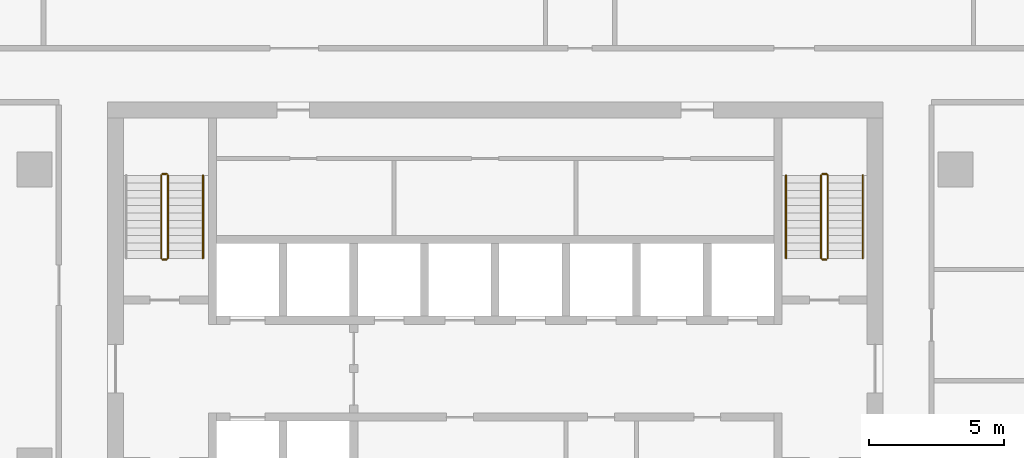
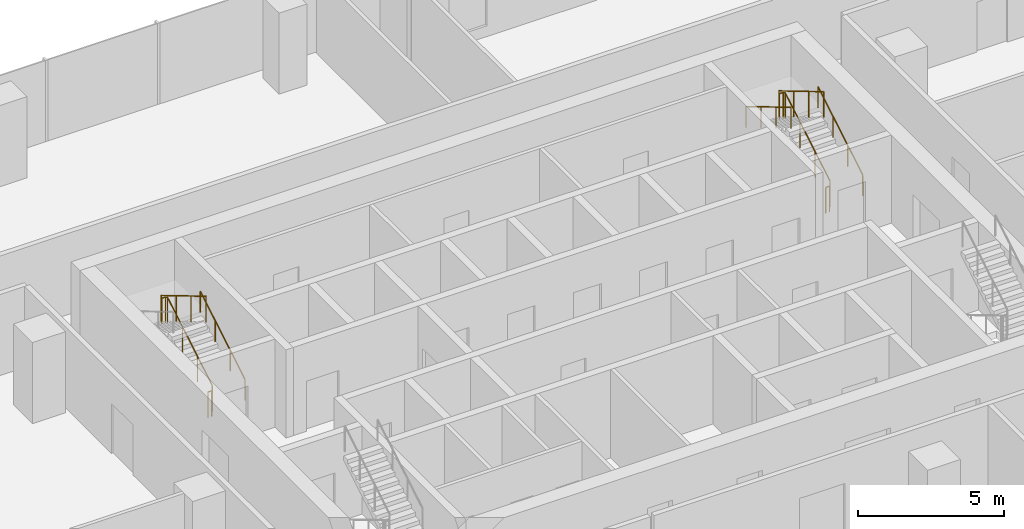
# One storey, part 13 of 14: 9 railings.
"""IFC4 building model written with IfcOpenShell, lengths in metres."""

from ifc_helpers import new_model, si_unit, direction, frame, origin, origin_2d, place, context, subcontext, project, spatial, circle, extrude, material, type_object, element, save


model = new_model("IFC4")

# Units and contexts
model_context = context("Model", 3, precision=1e-05, world=origin(), true_north=direction((0.0, 1.0)))
body_context = subcontext(model_context, "Body", "Model", "MODEL_VIEW")
ifc_project = project(units=[si_unit("LENGTHUNIT", "METRE"), si_unit("AREAUNIT", "SQUARE_METRE"), si_unit("VOLUMEUNIT", "CUBIC_METRE"), si_unit("PLANEANGLEUNIT", "RADIAN"), si_unit("MASSUNIT", "GRAM", prefix="KILO")], contexts=[model_context])

# Site, building, storey
site_placement = place(None, origin())
site = spatial("IfcSite", under=ifc_project, at=site_placement, CompositionType="ELEMENT")
building_placement = place(site_placement, origin())
building = spatial("IfcBuilding", under=site, at=building_placement, Name="Mopane Tessera Tower", CompositionType="ELEMENT")
storey_placement = place(building_placement, frame((0.0, 0.0, 255.0)))
storey = spatial("IfcBuildingStorey", under=building, at=storey_placement, Name="L55", CompositionType="ELEMENT", Elevation=255.0)

# Railings
ifc_material_1 = material(Name="Powder-coated steel balustrade", Category="steel")
railing_type_1 = type_object("IfcRailingType", Name="Escape stair guard 1100 mm", PredefinedType="GUARDRAIL", material=ifc_material_1)
railing_1_placement = place(storey_placement, frame((-12.14990234375, 7.699951171875, 0.166748046875)))
element("IfcRailing", 1, at=railing_1_placement, inside=storey, type_object=railing_type_1, Name="L55 ST2 stair guard 1", PredefinedType="GUARDRAIL", context=body_context, shape_type="SweptSolid", body=[
    extrude(circle(Radius=0.02392578125, at=origin_2d()), frame((0.0, 0.0, 1.076171875), z_axis=(0.0, 0.859308565015, 0.511457515432), x_axis=(-1.0, 0.0, 0.0)), (0.0, 0.0, 1.0), 3.58447265625),
    extrude(circle(Radius=0.02392578125, at=origin_2d()), frame((0.0, 3.080078125, 2.9091796875), z_axis=(-0.707106781187, 0.707106781187, 0.0), x_axis=(-0.707106781187, -0.707106781187, 0.0)), (0.0, 0.0, 1.0), 0.07080078125),
    extrude(circle(Radius=0.02392578125, at=origin_2d()), frame((-0.050048828125, 3.130126953125, 2.9091796875), z_axis=(-1.0, 0.0, 0.0), x_axis=(0.0, -1.0, 0.0)), (0.0, 0.0, 1.0), 0.150146484375),
    extrude(circle(Radius=0.02099609375, at=origin_2d()), origin(), (0.0, 0.0, 1.0), 1.052001953125),
    extrude(circle(Radius=0.02099609375, at=origin_2d()), frame((0.0, 1.026611328125, 0.611083984375)), (0.0, 0.0, 1.0), 1.052001953125),
    extrude(circle(Radius=0.02099609375, at=origin_2d()), frame((0.0, 2.053466796875, 1.22216796875)), (0.0, 0.0, 1.0), 1.052001953125),
    extrude(circle(Radius=0.02099609375, at=origin_2d()), frame((0.0, 3.080078125, 1.833251953125)), (0.0, 0.0, 1.0), 1.052001953125),
    extrude(circle(Radius=0.02099609375, at=origin_2d()), frame((-0.050048828125, 3.130126953125, 1.833251953125)), (0.0, 0.0, 1.0), 1.052001953125),
    extrude(circle(Radius=0.02099609375, at=origin_2d()), frame((-0.2001953125, 3.130126953125, 1.833251953125)), (0.0, 0.0, 1.0), 1.052001953125),
])
railing_2_placement = place(storey_placement, frame((-12.39990234375, 10.780029296875, 2.166748046875)))
element("IfcRailing", 2, at=railing_2_placement, inside=storey, type_object=railing_type_1, Name="L55 ST2 stair guard 2", PredefinedType="GUARDRAIL", context=body_context, shape_type="SweptSolid", body=[
    extrude(circle(Radius=0.02392578125, at=origin_2d()), frame((0.0, 0.0, 1.076171875), z_axis=(0.0, -0.859308565015, 0.511457515432), x_axis=(1.0, 0.0, 0.0)), (0.0, 0.0, 1.0), 3.58447265625),
    extrude(circle(Radius=0.02099609375, at=origin_2d()), origin(), (0.0, 0.0, 1.0), 1.052001953125),
    extrude(circle(Radius=0.02099609375, at=origin_2d()), frame((0.0, -1.026611328125, 0.611083984375)), (0.0, 0.0, 1.0), 1.052001953125),
    extrude(circle(Radius=0.02099609375, at=origin_2d()), frame((0.0, -2.053466796875, 1.22216796875)), (0.0, 0.0, 1.0), 1.052001953125),
    extrude(circle(Radius=0.02099609375, at=origin_2d()), frame((0.0, -3.080078125, 1.833251953125)), (0.0, 0.0, 1.0), 1.052001953125),
])
railing_3_placement = place(storey_placement, frame((-12.199951171875, 7.64990234375, 0.0)))
element("IfcRailing", 3, at=railing_3_placement, inside=storey, type_object=railing_type_1, Name="L55 ST2 stair guard 3", PredefinedType="GUARDRAIL", context=body_context, shape_type="SweptSolid", body=[
    extrude(circle(Radius=0.02392578125, at=origin_2d()), frame((0.0, 0.0, 1.076171875), z_axis=(-1.0, 0.0, 0.0), x_axis=(0.0, -1.0, 0.0)), (0.0, 0.0, 1.0), 0.150146484375),
    extrude(circle(Radius=0.02099609375, at=origin_2d()), origin(), (0.0, 0.0, 1.0), 1.052001953125),
    extrude(circle(Radius=0.02099609375, at=origin_2d()), frame((-0.150146484375, 0.0, 0.0)), (0.0, 0.0, 1.0), 1.052001953125),
])
railing_4_placement = place(storey_placement, frame((12.35009765625, 7.699951171875, 0.166748046875)))
element("IfcRailing", 4, at=railing_4_placement, inside=storey, type_object=railing_type_1, Name="L55 ST4 stair guard 1", PredefinedType="GUARDRAIL", context=body_context, shape_type="SweptSolid", body=[
    extrude(circle(Radius=0.02392578125, at=origin_2d()), frame((0.0, 0.0, 1.076171875), z_axis=(0.0, 0.859308565015, 0.511457515432), x_axis=(-1.0, 0.0, 0.0)), (0.0, 0.0, 1.0), 3.58447265625),
    extrude(circle(Radius=0.02392578125, at=origin_2d()), frame((0.0, 3.080078125, 2.9091796875), z_axis=(-0.707106781187, 0.707106781187, 0.0), x_axis=(-0.707106781187, -0.707106781187, 0.0)), (0.0, 0.0, 1.0), 0.07080078125),
    extrude(circle(Radius=0.02392578125, at=origin_2d()), frame((-0.050048828125, 3.130126953125, 2.9091796875), z_axis=(-1.0, 0.0, 0.0), x_axis=(0.0, -1.0, 0.0)), (0.0, 0.0, 1.0), 0.150146484375),
    extrude(circle(Radius=0.02099609375, at=origin_2d()), origin(), (0.0, 0.0, 1.0), 1.052001953125),
    extrude(circle(Radius=0.02099609375, at=origin_2d()), frame((0.0, 1.026611328125, 0.611083984375)), (0.0, 0.0, 1.0), 1.052001953125),
    extrude(circle(Radius=0.02099609375, at=origin_2d()), frame((0.0, 2.053466796875, 1.22216796875)), (0.0, 0.0, 1.0), 1.052001953125),
    extrude(circle(Radius=0.02099609375, at=origin_2d()), frame((0.0, 3.080078125, 1.833251953125)), (0.0, 0.0, 1.0), 1.052001953125),
    extrude(circle(Radius=0.02099609375, at=origin_2d()), frame((-0.050048828125, 3.130126953125, 1.833251953125)), (0.0, 0.0, 1.0), 1.052001953125),
    extrude(circle(Radius=0.02099609375, at=origin_2d()), frame((-0.2001953125, 3.130126953125, 1.833251953125)), (0.0, 0.0, 1.0), 1.052001953125),
])
railing_5_placement = place(storey_placement, frame((12.10009765625, 10.780029296875, 2.166748046875)))
element("IfcRailing", 5, at=railing_5_placement, inside=storey, type_object=railing_type_1, Name="L55 ST4 stair guard 2", PredefinedType="GUARDRAIL", context=body_context, shape_type="SweptSolid", body=[
    extrude(circle(Radius=0.02392578125, at=origin_2d()), frame((0.0, 0.0, 1.076171875), z_axis=(0.0, -0.859308565015, 0.511457515432), x_axis=(1.0, 0.0, 0.0)), (0.0, 0.0, 1.0), 3.58447265625),
    extrude(circle(Radius=0.02099609375, at=origin_2d()), origin(), (0.0, 0.0, 1.0), 1.052001953125),
    extrude(circle(Radius=0.02099609375, at=origin_2d()), frame((0.0, -1.026611328125, 0.611083984375)), (0.0, 0.0, 1.0), 1.052001953125),
    extrude(circle(Radius=0.02099609375, at=origin_2d()), frame((0.0, -2.053466796875, 1.22216796875)), (0.0, 0.0, 1.0), 1.052001953125),
    extrude(circle(Radius=0.02099609375, at=origin_2d()), frame((0.0, -3.080078125, 1.833251953125)), (0.0, 0.0, 1.0), 1.052001953125),
])
railing_6_placement = place(storey_placement, frame((12.300048828125, 7.64990234375, 0.0)))
element("IfcRailing", 6, at=railing_6_placement, inside=storey, type_object=railing_type_1, Name="L55 ST4 stair guard 3", PredefinedType="GUARDRAIL", context=body_context, shape_type="SweptSolid", body=[
    extrude(circle(Radius=0.02392578125, at=origin_2d()), frame((0.0, 0.0, 1.076171875), z_axis=(-1.0, 0.0, 0.0), x_axis=(0.0, -1.0, 0.0)), (0.0, 0.0, 1.0), 0.150146484375),
    extrude(circle(Radius=0.02099609375, at=origin_2d()), origin(), (0.0, 0.0, 1.0), 1.052001953125),
    extrude(circle(Radius=0.02099609375, at=origin_2d()), frame((-0.150146484375, 0.0, 0.0)), (0.0, 0.0, 1.0), 1.052001953125),
])
ifc_material_2 = material(Name="Powder-coated steel balustrade", Category="steel")
railing_type_2 = type_object("IfcRailingType", Name="Escape stair handrail 900 mm", PredefinedType="HANDRAIL", material=ifc_material_2)
for number, where, name in (
    (7, (-10.85009765625, 7.699951171875, 0.166748046875), "L55 ST2 stair handrail 1"),
    (8, (13.64990234375, 7.699951171875, 0.166748046875), "L55 ST4 stair handrail 1"),
):
    element("IfcRailing", number, at=place(storey_placement, frame(where)), inside=storey, type_object=railing_type_2, Name=name, PredefinedType="HANDRAIL", context=body_context, shape_type="SweptSolid", body=[
        extrude(circle(Radius=0.02392578125, at=origin_2d()), frame((0.0, 0.0, 0.8759765625), z_axis=(0.0, 0.859308565015, 0.511457515432), x_axis=(-1.0, 0.0, 0.0)), (0.0, 0.0, 1.0), 3.58447265625),
        extrude(circle(Radius=0.02099609375, at=origin_2d()), origin(), (0.0, 0.0, 1.0), 0.851806640625),
        extrude(circle(Radius=0.02099609375, at=origin_2d()), frame((0.0, 1.026611328125, 0.611083984375)), (0.0, 0.0, 1.0), 0.851806640625),
        extrude(circle(Radius=0.02099609375, at=origin_2d()), frame((0.0, 2.053466796875, 1.22216796875)), (0.0, 0.0, 1.0), 0.851806640625),
        extrude(circle(Radius=0.02099609375, at=origin_2d()), frame((0.0, 3.080078125, 1.833251953125)), (0.0, 0.0, 1.0), 0.851806640625),
    ])
railing_7_placement = place(storey_placement, frame((10.800048828125, 10.780029296875, 2.166748046875)))
element("IfcRailing", 9, at=railing_7_placement, inside=storey, type_object=railing_type_2, Name="L55 ST4 stair handrail 2", PredefinedType="HANDRAIL", context=body_context, shape_type="SweptSolid", body=[
    extrude(circle(Radius=0.02392578125, at=origin_2d()), frame((0.0, 0.0, 0.8759765625), z_axis=(0.0, -0.859308565015, 0.511457515432), x_axis=(1.0, 0.0, 0.0)), (0.0, 0.0, 1.0), 3.58447265625),
    extrude(circle(Radius=0.02099609375, at=origin_2d()), origin(), (0.0, 0.0, 1.0), 0.851806640625),
    extrude(circle(Radius=0.02099609375, at=origin_2d()), frame((0.0, -1.026611328125, 0.611083984375)), (0.0, 0.0, 1.0), 0.851806640625),
    extrude(circle(Radius=0.02099609375, at=origin_2d()), frame((0.0, -2.053466796875, 1.22216796875)), (0.0, 0.0, 1.0), 0.851806640625),
    extrude(circle(Radius=0.02099609375, at=origin_2d()), frame((0.0, -3.080078125, 1.833251953125)), (0.0, 0.0, 1.0), 0.851806640625),
])

save(model, "model.ifc")
